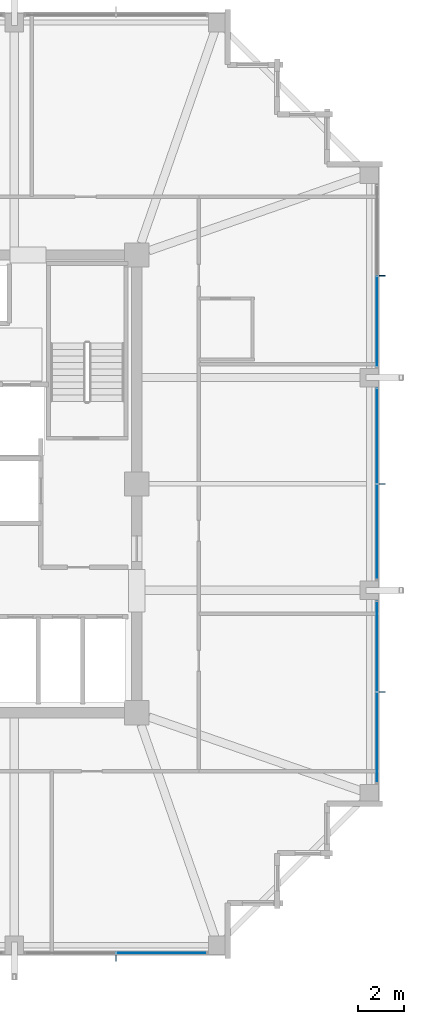
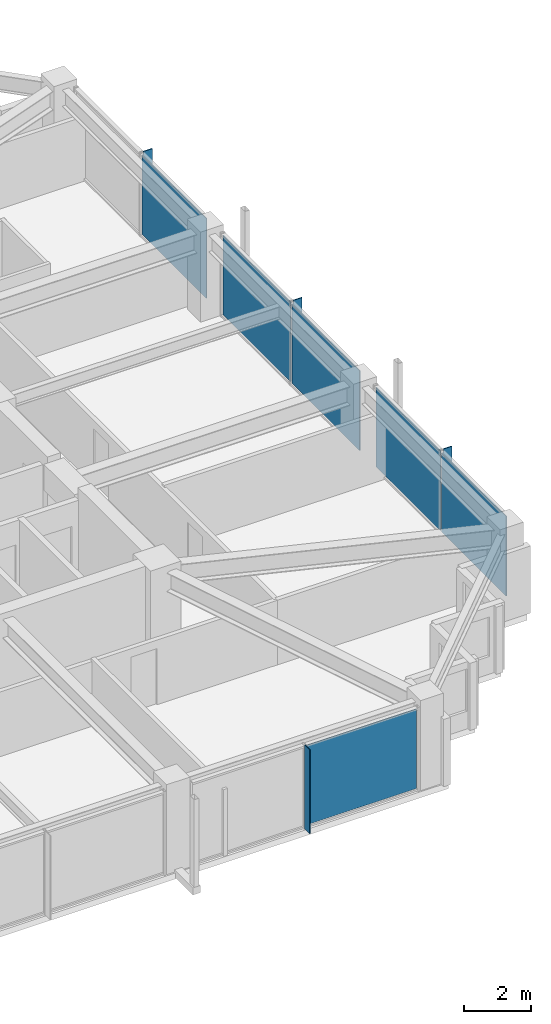
# One storey, part 24 of 33: 10 plates, 4 elements without a shape of their own.
"""IFC4 building model written with IfcOpenShell, lengths in metres."""

import ifcopenshell
import ifcopenshell.guid

model = None  # the IFC model being written
_history = None  # IfcOwnerHistory: only IFC2X3 demands one
_inside = {}  # id of a spatial element -> (the spatial element, [elements in it])
_under = {}  # id of a project, library or spatial element -> (it, [spatial elements below it])
_declared = {}  # id of a project -> (the project, [libraries it declares])
_typed = {}  # id of a type object -> (the type object, [elements of that type])
_made_of = {}  # id of a material, layer set ... -> (it, [elements and type objects made of it])


def new_model(schema):
    """Start an empty IFC model of exactly this schema.

    Asked for "IFC4X3", IfcOpenShell would pick the latest addendum, in which some entities
    have other attributes; the version numbers below select the first issue.
    IFC2X3 requires an IfcOwnerHistory on every rooted entity: one is made here for all.
    """
    global model, _history
    if schema == "IFC4X3":
        model = ifcopenshell.file(schema_version=(4, 3, 0, 0))
    else:
        model = ifcopenshell.file(schema=schema)
    _inside.clear()
    _under.clear()
    _declared.clear()
    _typed.clear()
    _made_of.clear()
    _history = None
    if model.schema == "IFC2X3":
        org = make("IfcOrganization", Name="unknown")
        user = make(
            "IfcPersonAndOrganization",
            ThePerson=make("IfcPerson", FamilyName="unknown"),
            TheOrganization=org,
        )
        app = make(
            "IfcApplication",
            ApplicationDeveloper=org,
            Version="unknown",
            ApplicationFullName="unknown",
            ApplicationIdentifier="unknown",
        )
        _history = make(
            "IfcOwnerHistory",
            OwningUser=user,
            OwningApplication=app,
            ChangeAction="ADDED",
            CreationDate=0,
        )
    return model


def make(cls, **values):
    """One entity of the class cls with the attributes given. An attribute that is None is left unset."""
    return model.create_entity(
        cls, **{name: value for name, value in values.items() if value is not None}
    )


def rooted(cls, **values):
    """An entity with a GlobalId (a new one), such as an element, a storey or a relation."""
    return make(cls, GlobalId=ifcopenshell.guid.new(), OwnerHistory=_history, **values)


def si_unit(unit_type, name, prefix=None):
    """IfcSIUnit, for example si_unit("LENGTHUNIT", "METRE", prefix="MILLI")."""
    return make("IfcSIUnit", UnitType=unit_type, Prefix=prefix, Name=name)


def assignment(units):
    """IfcUnitAssignment: the units of a project."""
    return None if units is None else make("IfcUnitAssignment", Units=units)


def point(xyz):
    """IfcCartesianPoint."""
    return None if xyz is None else make("IfcCartesianPoint", Coordinates=xyz)


def direction(xyz):
    """IfcDirection."""
    return None if xyz is None else make("IfcDirection", DirectionRatios=xyz)


def frame(location, z_axis=None, x_axis=None):
    """IfcAxis2Placement3D, a coordinate frame: its origin and axes. An axis left out is left unset."""
    return make(
        "IfcAxis2Placement3D",
        Location=point(location),
        Axis=direction(z_axis),
        RefDirection=direction(x_axis),
    )


def frame_2d(location, x_axis=None):
    """IfcAxis2Placement2D, a coordinate frame in the plane: its origin and x axis."""
    return make(
        "IfcAxis2Placement2D", Location=point(location), RefDirection=direction(x_axis)
    )


def origin():
    """The frame at (0, 0, 0) with its axes left unset."""
    return frame((0.0, 0.0, 0.0))


def origin_2d():
    """The frame at (0, 0) in the plane with its x axis left unset."""
    return frame_2d((0.0, 0.0))


def place(relative_to, where):
    """IfcLocalPlacement: puts the frame where relative to a parent placement (None: the world)."""
    return make(
        "IfcLocalPlacement", PlacementRelTo=relative_to, RelativePlacement=where
    )


def context(
    kind, dimensions, precision=None, world=None, true_north=None, identifier=None
):
    """IfcGeometricRepresentationContext, for example the 3D "Model" context."""
    return make(
        "IfcGeometricRepresentationContext",
        ContextIdentifier=identifier,
        ContextType=kind,
        CoordinateSpaceDimension=dimensions,
        Precision=precision,
        WorldCoordinateSystem=world,
        TrueNorth=true_north,
    )


def subcontext(parent, identifier, kind, view, scale=None):
    """IfcGeometricRepresentationSubContext, for example "Body" below "Model"."""
    return make(
        "IfcGeometricRepresentationSubContext",
        ContextIdentifier=identifier,
        ContextType=kind,
        ParentContext=parent,
        TargetScale=scale,
        TargetView=view,
    )


def project(units=None, contexts=None):
    """IfcProject with its units and contexts."""
    return rooted(
        "IfcProject",
        Name="project",
        RepresentationContexts=contexts,
        UnitsInContext=assignment(units),
    )


def spatial(cls, under=None, at=None, **own):
    """A site, building, storey or space (cls), placed at a placement, below another one or the project."""
    s = rooted(cls, ObjectPlacement=at, **own)
    if under is not None:
        _under.setdefault(under.id(), (under, []))[1].append(s)
    return s


def profile(cls, at=None, kind="AREA", **sizes):
    """A parametric profile (cls). Its sizes go by their IFC names, for example OverallWidth=200.0."""
    return make(cls, ProfileType=kind, Position=at, **sizes)


def rectangle(**sizes):
    """IfcRectangleProfileDef."""
    return profile("IfcRectangleProfileDef", **sizes)


def extrude(swept, where, along, depth):
    """IfcExtrudedAreaSolid: the profile swept, set in the frame where, extruded along a direction by depth."""
    return make(
        "IfcExtrudedAreaSolid",
        SweptArea=swept,
        Position=where,
        ExtrudedDirection=direction(along),
        Depth=depth,
    )


def shape(context_of_items, identifier, shape_type, items):
    """IfcShapeRepresentation: the items that make up one representation, for example the "Body"."""
    return make(
        "IfcShapeRepresentation",
        ContextOfItems=context_of_items,
        RepresentationIdentifier=identifier,
        RepresentationType=shape_type,
        Items=items,
    )


def material(Name=None, Category=None):
    """IfcMaterial."""
    return make("IfcMaterial", Name=Name, Category=Category)


def layer(
    of_material, thickness, ventilated=None, Name=None, Category=None, Priority=None
):
    """IfcMaterialLayer: one layer of a wall or slab, of a material (None: an air gap)."""
    return make(
        "IfcMaterialLayer",
        Material=of_material,
        LayerThickness=thickness,
        IsVentilated=ventilated,
        Name=Name,
        Category=Category,
        Priority=Priority,
    )


def layer_set(layers, Name=None):
    """IfcMaterialLayerSet."""
    return make("IfcMaterialLayerSet", MaterialLayers=layers, LayerSetName=Name)


def made_of(thing, what):
    """Note that an element or type object is made of a material, layer set ...; save() writes the relation."""
    if what is not None:
        _made_of.setdefault(what.id(), (what, []))[1].append(thing)
    return thing


def type_object(cls, material=None, **own):
    """A type object (cls), such as IfcWallType, which elements share."""
    return made_of(rooted(cls, **own), material)


def element(
    cls,
    number,
    at=None,
    inside=None,
    cuts=None,
    type_object=None,
    material=None,
    context=None,
    identifier="Body",
    shape_type=None,
    held_by="IfcProductDefinitionShape",
    body=None,
    shapes=None,
    **own,
):
    """One element of the class cls, such as IfcWall. Its Tag is "e" and its number.

    at: its placement. inside: the storey or other place that contains it. cuts: it is an
    opening in that element (IfcRelVoidsElement). A single representation is given by context,
    identifier, shape_type and body (its items); several are given by shapes. held_by: the class
    of the entity that holds the representations. save() writes the other relations.
    """
    e = rooted(cls, Tag="e%d" % number, ObjectPlacement=at, **own)
    if body is not None:
        shapes = [shape(context, identifier, shape_type, body)]
    if shapes is not None:
        e.Representation = make(held_by, Representations=shapes)
    if inside is not None:
        _inside.setdefault(inside.id(), (inside, []))[1].append(e)
    if cuts is not None:
        rooted(
            "IfcRelVoidsElement", RelatingBuildingElement=cuts, RelatedOpeningElement=e
        )
    if type_object is not None:
        _typed.setdefault(type_object.id(), (type_object, []))[1].append(e)
    return made_of(e, material)


def aggregate(whole, parts):
    """IfcRelAggregates: a whole, such as a stair, and the parts it consists of."""
    return rooted("IfcRelAggregates", RelatingObject=whole, RelatedObjects=parts)


def save(model, path):
    """Write the relations noted so far, then the file.

    IfcRelAggregates (storeys below a building ...), IfcRelContainedInSpatialStructure (elements
    in a storey), IfcRelDefinesByType, IfcRelAssociatesMaterial and IfcRelDeclares: one each for
    every whole, place, type object, material and project.
    """
    for whole, parts in _under.values():
        aggregate(whole, parts)
    for where, things in _inside.values():
        rooted(
            "IfcRelContainedInSpatialStructure",
            RelatedElements=things,
            RelatingStructure=where,
        )
    for kind, things in _typed.values():
        rooted("IfcRelDefinesByType", RelatedObjects=things, RelatingType=kind)
    for what, things in _made_of.values():
        rooted("IfcRelAssociatesMaterial", RelatedObjects=things, RelatingMaterial=what)
    for by, libraries in _declared.values():
        rooted("IfcRelDeclares", RelatingContext=by, RelatedDefinitions=libraries)
    model.write(path)


model = new_model("IFC4")

# Units and contexts
model_context = context("Model", 3, precision=1e-05, world=origin(), true_north=direction((0.0, 1.0)))
body_context = subcontext(model_context, "Body", "Model", "MODEL_VIEW")
ifc_project = project(units=[si_unit("LENGTHUNIT", "METRE"), si_unit("AREAUNIT", "SQUARE_METRE"), si_unit("VOLUMEUNIT", "CUBIC_METRE"), si_unit("PLANEANGLEUNIT", "RADIAN"), si_unit("MASSUNIT", "GRAM", prefix="KILO")], contexts=[model_context])

# Site, building, storey
site_placement = place(None, origin())
site = spatial("IfcSite", under=ifc_project, at=site_placement, CompositionType="ELEMENT")
building_placement = place(site_placement, origin())
building = spatial("IfcBuilding", under=site, at=building_placement, Name="Kolvaren Belvedere", CompositionType="ELEMENT")
storey_placement = place(building_placement, frame((0.0, 0.0, 209.699951171875)))
storey = spatial("IfcBuildingStorey", under=building, at=storey_placement, Name="L61", CompositionType="ELEMENT", Elevation=209.699951171875)

# Curtain wall, plate
ifc_material_1 = material(Name="Anodised pale-metal aluminium AA 6063-T6", Category="aluminium")
curtain_wall_type = type_object("IfcCurtainWallType", Name="CW-Z5-HIGH", PredefinedType="NOTDEFINED", material=ifc_material_1)
curtain_wall_1_placement = place(storey_placement, origin())
curtain_wall_1 = element("IfcCurtainWall", 1, at=curtain_wall_1_placement, inside=storey, type_object=curtain_wall_type, Name="L61 Unitised Curtain Wall FCW-L61-S-B1", PredefinedType="NOTDEFINED")
ifc_material_2 = material(Name="Low-iron triple insulated glass", Category="glass")
ifc_layer_1 = layer(ifc_material_2, 0.028076171875)
ifc_layer_set_1 = layer_set([ifc_layer_1], Name="Low-iron triple insulated glass")
plate_type_1 = type_object("IfcPlateType", Name="CW-PNL-VIS28", PredefinedType="CURTAIN_PANEL", material=ifc_layer_set_1)
plate_1_placement = place(storey_placement, frame((10.972412109375, -20.280029296875, 0.080078125), z_axis=(0.0, 0.0, 1.0), x_axis=(-1.0, 0.0, 0.0)))
plate_1 = element("IfcPlate", 2, at=plate_1_placement, type_object=plate_type_1, Name="FCW-L61-S-B1 Vision Glazing Panel 1", PredefinedType="CURTAIN_PANEL", context=body_context, shape_type="SweptSolid", body=[
    extrude(rectangle(XDim=3.864990234375, YDim=0.028076171875, at=origin_2d()), origin(), (0.0, 0.0, 1.0), 2.919921875),
])
aggregate(curtain_wall_1, [plate_1])

curtain_wall_2_placement = place(storey_placement, origin())
curtain_wall_2 = element("IfcCurtainWall", 3, at=curtain_wall_2_placement, inside=storey, type_object=curtain_wall_type, Name="L61 Unitised Curtain Wall FCW-L61-E-B1", PredefinedType="NOTDEFINED")
plate_2_placement = place(storey_placement, frame((20.280029296875, 7.027587890625, 0.080078125), z_axis=(0.0, 0.0, 1.0), x_axis=(0.0, -1.0, 0.0)))
plate_2 = element("IfcPlate", 4, at=plate_2_placement, type_object=plate_type_1, Name="FCW-L61-E-B1 Vision Glazing Panel 2", PredefinedType="CURTAIN_PANEL", context=body_context, shape_type="SweptSolid", body=[
    extrude(rectangle(XDim=3.864990234375, YDim=0.028076171875, at=origin_2d()), origin(), (0.0, 0.0, 1.0), 2.919921875),
])
aggregate(curtain_wall_2, [plate_2])

# Curtain wall, plates
curtain_wall_3_placement = place(storey_placement, origin())
curtain_wall_3 = element("IfcCurtainWall", 5, at=curtain_wall_3_placement, inside=storey, type_object=curtain_wall_type, Name="L61 Unitised Curtain Wall FCW-L61-E-B2", PredefinedType="NOTDEFINED")
plate_3_placement = place(storey_placement, frame((20.280029296875, 2.072509765625, 0.080078125), z_axis=(0.0, 0.0, 1.0), x_axis=(0.0, -1.0, 0.0)))
plate_3 = element("IfcPlate", 6, at=plate_3_placement, type_object=plate_type_1, Name="FCW-L61-E-B2 Vision Glazing Panel 1", PredefinedType="CURTAIN_PANEL", context=body_context, shape_type="SweptSolid", body=[
    extrude(rectangle(XDim=4.06494140625, YDim=0.028076171875, at=origin_2d()), origin(), (0.0, 0.0, 1.0), 2.919921875),
])
plate_4_placement = place(storey_placement, frame((20.280029296875, -2.072509765625, 0.080078125), z_axis=(0.0, 0.0, 1.0), x_axis=(0.0, -1.0, 0.0)))
plate_4 = element("IfcPlate", 7, at=plate_4_placement, type_object=plate_type_1, Name="FCW-L61-E-B2 Vision Glazing Panel 2", PredefinedType="CURTAIN_PANEL", context=body_context, shape_type="SweptSolid", body=[
    extrude(rectangle(XDim=4.06494140625, YDim=0.028076171875, at=origin_2d()), origin(), (0.0, 0.0, 1.0), 2.919921875),
])
aggregate(curtain_wall_3, [plate_3, plate_4])

curtain_wall_4_placement = place(storey_placement, origin())
curtain_wall_4 = element("IfcCurtainWall", 8, at=curtain_wall_4_placement, inside=storey, type_object=curtain_wall_type, Name="L61 Unitised Curtain Wall FCW-L61-E-B3", PredefinedType="NOTDEFINED")
plate_5_placement = place(storey_placement, frame((20.280029296875, -7.027587890625, 0.080078125), z_axis=(0.0, 0.0, 1.0), x_axis=(0.0, -1.0, 0.0)))
plate_5 = element("IfcPlate", 9, at=plate_5_placement, type_object=plate_type_1, Name="FCW-L61-E-B3 Vision Glazing Panel 1", PredefinedType="CURTAIN_PANEL", context=body_context, shape_type="SweptSolid", body=[
    extrude(rectangle(XDim=3.864990234375, YDim=0.028076171875, at=origin_2d()), origin(), (0.0, 0.0, 1.0), 2.919921875),
])
plate_6_placement = place(storey_placement, frame((20.280029296875, -10.972412109375, 0.080078125), z_axis=(0.0, 0.0, 1.0), x_axis=(0.0, -1.0, 0.0)))
plate_6 = element("IfcPlate", 10, at=plate_6_placement, type_object=plate_type_1, Name="FCW-L61-E-B3 Vision Glazing Panel 2", PredefinedType="CURTAIN_PANEL", context=body_context, shape_type="SweptSolid", body=[
    extrude(rectangle(XDim=3.864990234375, YDim=0.028076171875, at=origin_2d()), origin(), (0.0, 0.0, 1.0), 2.919921875),
])
aggregate(curtain_wall_4, [plate_5, plate_6])

# Plates
ifc_material_3 = material(Name="Anodised pale-metal aluminium AA 6063-T6", Category="aluminium")
ifc_layer_2 = layer(ifc_material_3, 0.030029296875)
ifc_layer_set_2 = layer_set([ifc_layer_2], Name="Anodised pale-metal aluminium AA 6063-T6")
plate_type_2 = type_object("IfcPlateType", Name="FIN-VERT-300", PredefinedType="USERDEFINED", material=ifc_layer_set_2)
for number, where, z_axis, x_axis, name in (
    (11, (9.0, -20.489990234375, 0.0), (0.0, 0.0, 1.0), (0.0, 1.0, 0.0), "L61 Pale-Metal Vertical Shading Fin FCW-L61-S-B1-1"),
    (12, (20.489990234375, 9.0, 0.0), (0.0, 0.0, 1.0), (1.0, 0.0, 0.0), "L61 Pale-Metal Vertical Shading Fin FCW-L61-E-B1-1"),
    (13, (20.489990234375, 0.0, 0.0), (0.0, 0.0, 1.0), (1.0, 0.0, 0.0), "L61 Pale-Metal Vertical Shading Fin FCW-L61-E-B2-1"),
    (14, (20.489990234375, -9.0, 0.0), (0.0, 0.0, 1.0), (1.0, 0.0, 0.0), "L61 Pale-Metal Vertical Shading Fin FCW-L61-E-B3-1"),
):
    element("IfcPlate", number, at=place(storey_placement, frame(where, z_axis=z_axis, x_axis=x_axis)), inside=storey, type_object=plate_type_2, Name=name, ObjectType="VERTICAL FIN", PredefinedType="USERDEFINED", context=body_context, shape_type="SweptSolid", body=[
        extrude(rectangle(XDim=0.300048828125, YDim=0.030029296875, at=origin_2d()), origin(), (0.0, 0.0, 1.0), 3.080078125),
    ])

save(model, "model.ifc")
